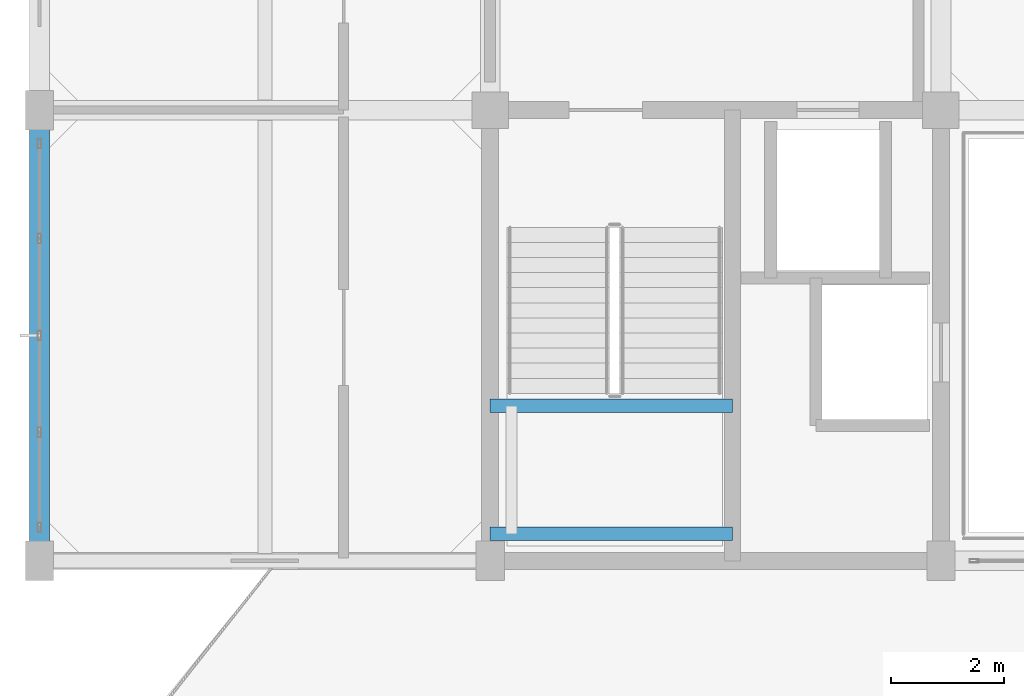
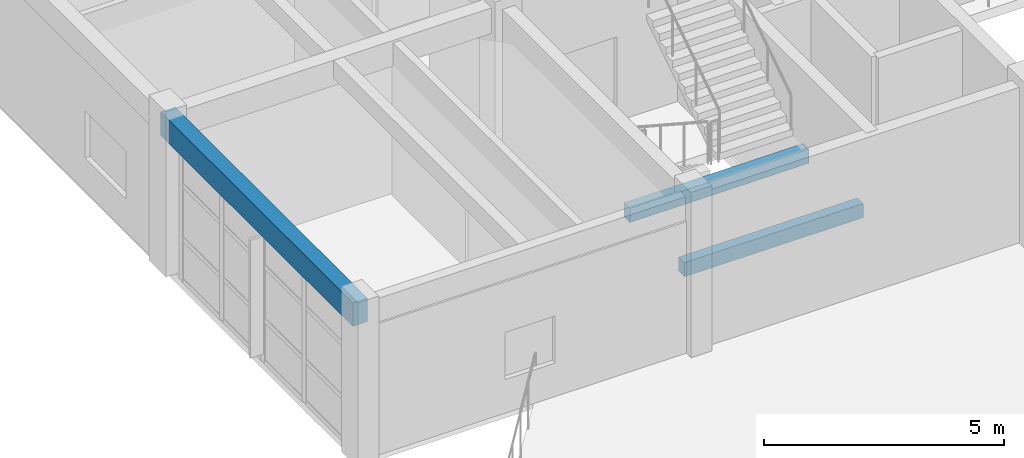
# One storey, part 3 of 20: 3 beams.
"""IFC4 building model written with IfcOpenShell, lengths in metres."""

from ifc_helpers import new_model, si_unit, direction, frame, origin, origin_2d, place, context, subcontext, project, spatial, rectangle, extrude, material, material_profile, profile_set, type_object, element, save


model = new_model("IFC4")

# Units and contexts
model_context = context("Model", 3, precision=1e-05, world=origin(), true_north=direction((0.0, 1.0)))
body_context = subcontext(model_context, "Body", "Model", "MODEL_VIEW")
ifc_project = project(units=[si_unit("LENGTHUNIT", "METRE"), si_unit("AREAUNIT", "SQUARE_METRE"), si_unit("VOLUMEUNIT", "CUBIC_METRE"), si_unit("PLANEANGLEUNIT", "RADIAN"), si_unit("MASSUNIT", "GRAM", prefix="KILO")], contexts=[model_context])

# Site, building, storey
site_placement = place(None, origin())
site = spatial("IfcSite", under=ifc_project, at=site_placement, CompositionType="ELEMENT")
building_placement = place(site_placement, origin())
building = spatial("IfcBuilding", under=site, at=building_placement, Name="Canggui Botanical Conservatory", CompositionType="ELEMENT")
storey_placement = place(building_placement, frame((0.0, 0.0, 57.0)))
storey = spatial("IfcBuildingStorey", under=building, at=storey_placement, Name="L14", CompositionType="ELEMENT", Elevation=57.0)

# Beams
ifc_material = material(Name="Concrete C35", Category="concrete")
ifc_material_profile_1 = material_profile(ifc_material, rectangle(XDim=0.35009765625, YDim=0.60009765625, at=origin_2d()), Name="RB 350x600")
ifc_profile_set_1 = profile_set([ifc_material_profile_1], Name="Concrete C35")
beam_type_1 = type_object("IfcBeamType", Name="BM-KL19", PredefinedType="BEAM", material=ifc_profile_set_1)
beam_placement = place(storey_placement, frame((146.0, 42.0, 3.659912109375), z_axis=(0.0, 1.0, 0.0), x_axis=(-1.0, 0.0, 0.0)))
element("IfcBeam", 1, at=beam_placement, inside=storey, type_object=beam_type_1, Name="Frame Girder L14 X146-1", PredefinedType="BEAM", context=body_context, shape_type="SweptSolid", body=[
    extrude(rectangle(XDim=0.35009765625, YDim=0.60009765625, at=origin_2d()), origin(), (0.0, 0.0, 1.0), 8.0),
])
ifc_material_profile_2 = material_profile(ifc_material, rectangle(XDim=0.239990234375, YDim=0.360107421875, at=origin_2d()), Name="RB 240x360")
ifc_profile_set_2 = profile_set([ifc_material_profile_2], Name="Concrete C35")
beam_type_2 = type_object("IfcBeamType", Name="BM-LIN01", PredefinedType="LINTEL", material=ifc_profile_set_2)
for number, where, z_axis, x_axis, name in (
    (2, (154.0, 42.47998046875, 1.719970703125), (1.0, 0.0, 0.0), (0.0, 1.0, 0.0), "ST-T1 Half-Landing Ledger Beam L14-1.1"),
    (3, (154.0, 44.75244140625, 1.719970703125), (1.0, 0.0, 0.0), (0.0, 1.0, 0.0), "ST-T1 Half-Landing Ledger Beam L14-1.2"),
):
    element("IfcBeam", number, at=place(storey_placement, frame(where, z_axis=z_axis, x_axis=x_axis)), inside=storey, type_object=beam_type_2, Name=name, PredefinedType="LINTEL", context=body_context, shape_type="SweptSolid", body=[
        extrude(rectangle(XDim=0.239990234375, YDim=0.360107421875, at=origin_2d()), origin(), (0.0, 0.0, 1.0), 4.300048828125),
    ])

save(model, "model.ifc")
